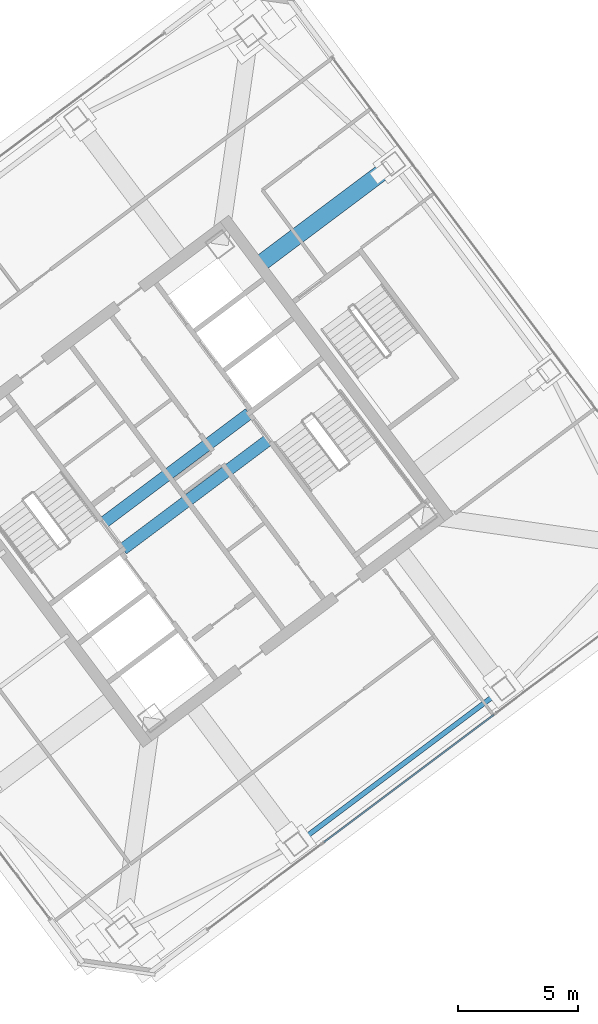
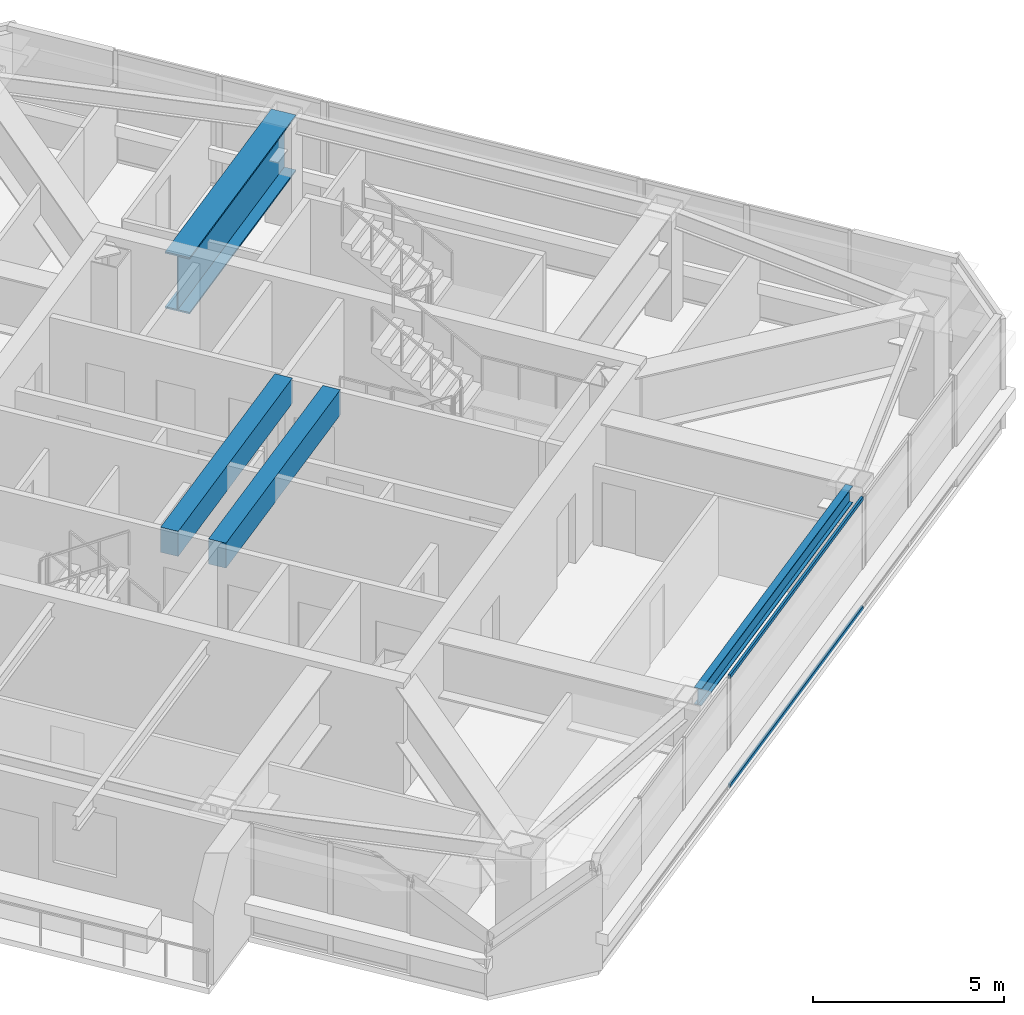
# One storey, part 22 of 40: 4 beams, 2 members, 1 element without a shape of its own.
"""IFC4 building model written with IfcOpenShell, lengths in metres."""

from ifc_helpers import new_model, si_unit, direction, frame, origin, origin_2d, place, context, subcontext, project, spatial, rectangle, hollow_rectangle, i_section, extrude, material, material_profile, profile_set, type_object, element, aggregate, save


model = new_model("IFC4")

# Units and contexts
model_context = context("Model", 3, precision=1e-05, world=origin(), true_north=direction((0.0, 1.0)))
body_context = subcontext(model_context, "Body", "Model", "MODEL_VIEW")
ifc_project = project(units=[si_unit("LENGTHUNIT", "METRE"), si_unit("AREAUNIT", "SQUARE_METRE"), si_unit("VOLUMEUNIT", "CUBIC_METRE"), si_unit("PLANEANGLEUNIT", "RADIAN"), si_unit("MASSUNIT", "GRAM", prefix="KILO")], contexts=[model_context])

# Site, building, storey
site_placement = place(None, origin())
site = spatial("IfcSite", under=ifc_project, at=site_placement, CompositionType="ELEMENT")
building_placement = place(site_placement, origin())
building = spatial("IfcBuilding", under=site, at=building_placement, Name="Tashvorn Skyway Center", CompositionType="ELEMENT")
storey_placement = place(building_placement, frame((0.0, 0.0, 229.050048828125)))
storey = spatial("IfcBuildingStorey", under=building, at=storey_placement, Name="L62", CompositionType="ELEMENT", Elevation=229.050048828125)

# Beams
ifc_material_1 = material(Name="Steel ASTM A572 Grade 50", Category="steel")
ifc_material_profile_1 = material_profile(ifc_material_1, i_section(OverallWidth=0.699951171875, OverallDepth=1.800048828125, WebThickness=0.031982421875, FlangeThickness=0.050048828125, at=origin_2d()), Name="PG1800x700")
ifc_profile_set_1 = profile_set([ifc_material_profile_1], Name="Steel ASTM A572 Grade 50")
beam_type_1 = type_object("IfcBeamType", Name="BM-BEAM-PG1800x700", PredefinedType="BEAM", material=ifc_profile_set_1)
beam_1_placement = place(storey_placement, frame((122.639892578125, 45.22998046875, 2.469970703125), z_axis=(-0.800004143828, -0.599994474857, 0.0), x_axis=(0.599994474857, -0.800004143828, 0.0)))
element("IfcBeam", 1, at=beam_1_placement, inside=storey, type_object=beam_type_1, Name="Tower 2 L62 Setback Transfer Girder FC-E2", PredefinedType="BEAM", context=body_context, shape_type="SweptSolid", body=[
    extrude(i_section(OverallWidth=0.699951171875, OverallDepth=1.800048828125, WebThickness=0.031982421875, FlangeThickness=0.050048828125, at=origin_2d()), origin(), (0.0, 0.0, 1.0), 7.070068359375),
])
ifc_material_2 = material(Name="Concrete C50/60", Category="concrete")
ifc_material_profile_2 = material_profile(ifc_material_2, rectangle(XDim=0.5, YDim=0.800048828125, at=origin_2d()), Name="RCB500x800")
ifc_profile_set_2 = profile_set([ifc_material_profile_2], Name="Concrete C50/60")
beam_type_2 = type_object("IfcBeamType", Name="BM-LINTEL-RCB500x800", PredefinedType="LINTEL", material=ifc_profile_set_2)
for number, where, z_axis, x_axis, name in (
    (2, (110.552001953125, 30.263916015625, 2.969970703125), (0.8, 0.6, 0.0), (-0.6, 0.8, 0.0), "Tower 2 L62 Core Coupling Beam CN"),
    (3, (111.367919921875, 29.176025390625, 2.969970703125), (0.8, 0.6, 0.0), (-0.6, 0.8, 0.0), "Tower 2 L62 Core Coupling Beam CS"),
):
    element("IfcBeam", number, at=place(storey_placement, frame(where, z_axis=z_axis, x_axis=x_axis)), inside=storey, type_object=beam_type_2, Name=name, PredefinedType="LINTEL", context=body_context, shape_type="SweptSolid", body=[
        extrude(rectangle(XDim=0.5, YDim=0.800048828125, at=origin_2d()), origin(), (0.0, 0.0, 1.0), 7.60009765625),
    ])
ifc_material_3 = material(Name="Steel ASTM A992 Grade 50", Category="steel")
ifc_material_profile_3 = material_profile(ifc_material_3, i_section(OverallWidth=0.2109375, OverallDepth=0.5390625, WebThickness=0.01171875, FlangeThickness=0.018798828125, at=origin_2d()), Name="W21X73")
ifc_profile_set_3 = profile_set([ifc_material_profile_3], Name="Steel ASTM A992 Grade 50")
beam_type_3 = type_object("IfcBeamType", Name="BM-SPANDREL-W21X73", PredefinedType="SPANDREL", material=ifc_profile_set_3)
beam_2_placement = place(storey_placement, frame((118.885986328125, 17.10205078125, 3.100341796875), z_axis=(0.800008736549, 0.599988351091, 0.0), x_axis=(-0.599988351091, 0.800008736549, 0.0)))
element("IfcBeam", 4, at=beam_2_placement, inside=storey, type_object=beam_type_3, Name="Tower 2 L62 Spandrel Beam 02", PredefinedType="SPANDREL", context=body_context, shape_type="SweptSolid", body=[
    extrude(i_section(OverallWidth=0.2109375, OverallDepth=0.5390625, WebThickness=0.01171875, FlangeThickness=0.018798828125, at=origin_2d()), origin(), (0.0, 0.0, 1.0), 10.06005859375),
])

# Curtain wall, members
ifc_material_4 = material(Name="Thermally broken bronze-anodized aluminium 6063-T6", Category="aluminium")
curtain_wall_type = type_object("IfcCurtainWallType", Name="CW-CW-Z5", PredefinedType="NOTDEFINED", material=ifc_material_4)
curtain_wall_placement = place(storey_placement, origin())
curtain_wall = element("IfcCurtainWall", 5, at=curtain_wall_placement, inside=storey, type_object=curtain_wall_type, Name="Tower 2 L62 South Unitised Curtain Wall Glazing Group 2", PredefinedType="NOTDEFINED")
ifc_material_profile_4 = material_profile(ifc_material_4, hollow_rectangle(XDim=0.070068359375, YDim=0.114990234375, WallThickness=0.00390625, at=origin_2d()), Name="ALU-TRAN-70x115")
ifc_profile_set_4 = profile_set([ifc_material_profile_4], Name="Thermally broken bronze-anodized aluminium 6063-T6")
member_type = type_object("IfcMemberType", Name="CWT-CW-Z5", PredefinedType="USERDEFINED", material=ifc_profile_set_4)
member_1_placement = place(storey_placement, frame((126.82666015625, 22.27001953125, 0.034912109375), z_axis=(-0.799996688401, -0.600004415441, 0.0), x_axis=(0.600004415441, -0.799996688401, 0.0)))
member_1 = element("IfcMember", 6, at=member_1_placement, type_object=member_type, Name="CW-Z5 transom 1.1", ObjectType="TRANSOM", PredefinedType="USERDEFINED", context=body_context, shape_type="SweptSolid", body=[
    extrude(hollow_rectangle(XDim=0.070068359375, YDim=0.114990234375, WallThickness=0.00390625, at=origin_2d()), origin(), (0.0, 0.0, 1.0), 8.8466796875),
])
member_2_placement = place(storey_placement, frame((126.82666015625, 22.27001953125, 3.514892578125), z_axis=(-0.799996688401, -0.600004415441, 0.0), x_axis=(0.600004415441, -0.799996688401, 0.0)))
member_2 = element("IfcMember", 7, at=member_2_placement, type_object=member_type, Name="CW-Z5 transom 1.2", ObjectType="TRANSOM", PredefinedType="USERDEFINED", context=body_context, shape_type="SweptSolid", body=[
    extrude(hollow_rectangle(XDim=0.070068359375, YDim=0.114990234375, WallThickness=0.00390625, at=origin_2d()), origin(), (0.0, 0.0, 1.0), 8.8466796875),
])
aggregate(curtain_wall, [member_1, member_2])

save(model, "model.ifc")
